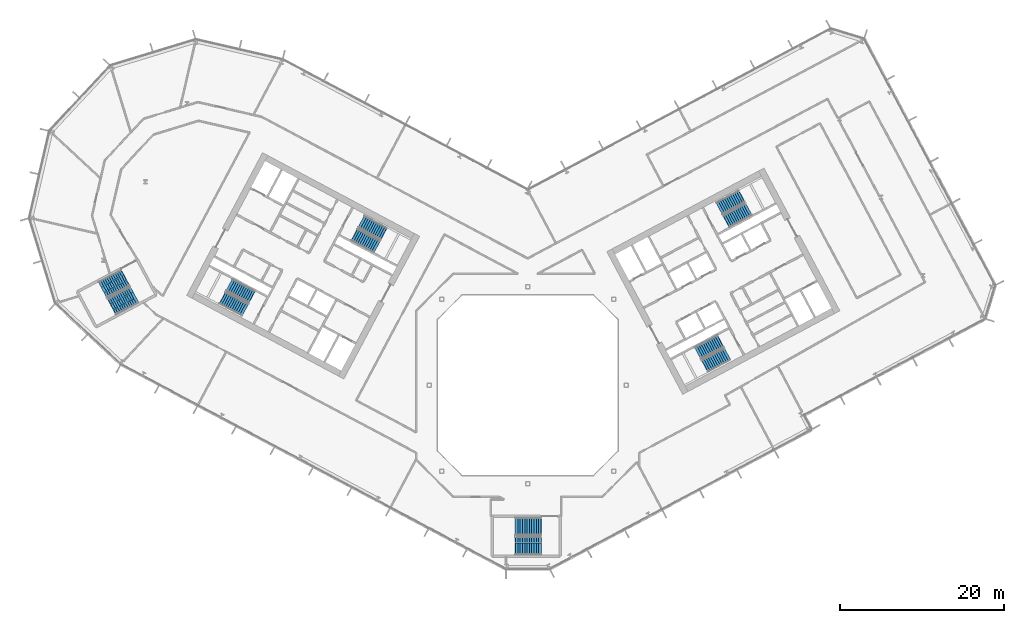
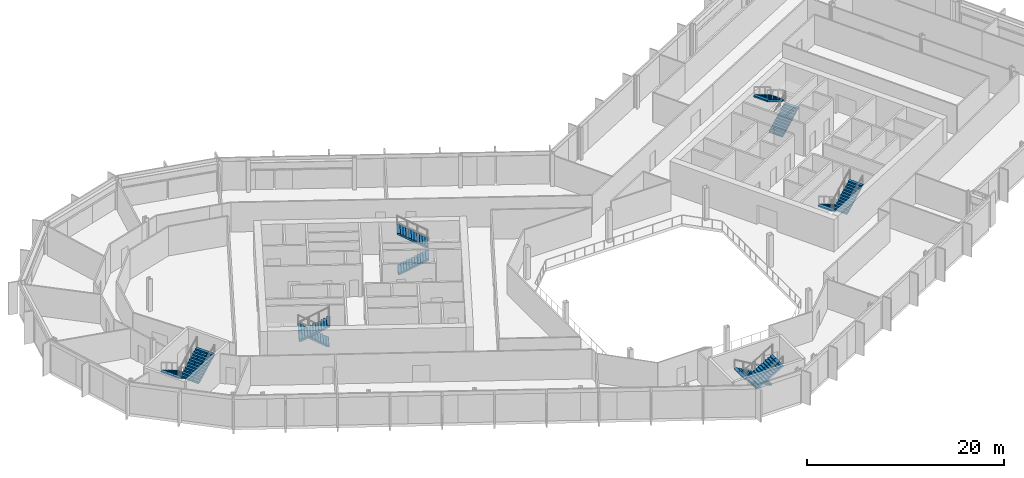
# One storey, part 18 of 28: 12 stair flights, 6 elements without a shape of their own.
"""IFC4 building model written with IfcOpenShell, lengths in metres."""

from ifc_helpers import new_model, si_unit, direction, frame, origin, place, context, subcontext, project, spatial, polyline, outline, extrude, material, type_object, element, aggregate, save


model = new_model("IFC4")

# Units and contexts
model_context = context("Model", 3, precision=1e-05, world=origin(), true_north=direction((0.0, 1.0)))
body_context = subcontext(model_context, "Body", "Model", "MODEL_VIEW")
ifc_project = project(units=[si_unit("LENGTHUNIT", "METRE"), si_unit("AREAUNIT", "SQUARE_METRE"), si_unit("VOLUMEUNIT", "CUBIC_METRE"), si_unit("PLANEANGLEUNIT", "RADIAN"), si_unit("MASSUNIT", "GRAM", prefix="KILO")], contexts=[model_context])

# Site, building, storey
site_placement = place(None, origin())
site = spatial("IfcSite", under=ifc_project, at=site_placement, CompositionType="ELEMENT")
building_placement = place(site_placement, origin())
building = spatial("IfcBuilding", under=site, at=building_placement, Name="Cormorant Relay Tower", CompositionType="ELEMENT")
storey_placement = place(building_placement, frame((0.0, 0.0, 146.199951171875)))
storey = spatial("IfcBuildingStorey", under=building, at=storey_placement, Name="L30", CompositionType="ELEMENT", Elevation=146.199951171875)

# Stair, stair flights
ifc_material_1 = material(Name="Concrete 40 MPa", Category="concrete")
stair_type_1 = type_object("IfcStairType", Name="Exit stair 1500", PredefinedType="HALF_TURN_STAIR", material=ifc_material_1)
stair_1_placement = place(storey_placement, origin())
stair_1 = element("IfcStair", 1, at=stair_1_placement, inside=storey, type_object=stair_type_1, Name="L30 Stair", PredefinedType="HALF_TURN_STAIR")
ifc_material_2 = material(Name="Concrete 40 MPa", Category="concrete")
stair_flight_type_1 = type_object("IfcStairFlightType", Name="Exit stair flight 1650", PredefinedType="STRAIGHT", material=ifc_material_2)
stair_flight_1_placement = place(storey_placement, frame((-21.114501953125, 18.33349609375, 0.0), z_axis=(0.0, 0.0, 1.0), x_axis=(0.882947592859, -0.469471562786, 0.0)))
stair_flight_1 = element("IfcStairFlight", 2, at=stair_flight_1_placement, type_object=stair_flight_type_1, Name="A1 flight 1", NumberOfRisers=12, NumberOfTreads=11, PredefinedType="STRAIGHT", RiserHeight=0.166666667, TreadLength=0.28, context=body_context, shape_type="SweptSolid", body=[
    extrude(outline(polyline([(-0.050048828125, -0.080078125), (-0.050048828125, 0.0), (0.0, 0.0), (0.0, 0.166748046875), (0.280029296875, 0.166748046875), (0.280029296875, 0.333251953125), (0.56005859375, 0.333251953125), (0.56005859375, 0.5), (0.840087890625, 0.5), (0.840087890625, 0.666748046875), (1.1201171875, 0.666748046875), (1.1201171875, 0.833251953125), (1.39990234375, 0.833251953125), (1.39990234375, 1.0), (1.679931640625, 1.0), (1.679931640625, 1.166748046875), (1.9599609375, 1.166748046875), (1.9599609375, 1.333251953125), (2.239990234375, 1.333251953125), (2.239990234375, 1.5), (2.52001953125, 1.5), (2.52001953125, 1.666748046875), (2.800048828125, 1.666748046875), (2.800048828125, 1.833251953125), (3.080078125, 1.833251953125), (3.130126953125, 1.833251953125), (3.130126953125, 1.658935546875), (3.080078125, 1.658935546875), (0.29296875, 0.0), (-0.050048828125, -0.080078125)])), frame((0.0, 0.824951171875, 0.0), z_axis=(0.0, -1.0, 0.0), x_axis=(1.0, 0.0, 0.0)), (0.0, 0.0, 1.0), 1.64990234375),
])
stair_flight_2_placement = place(storey_placement, frame((-17.5498046875, 18.47705078125, 2.0), z_axis=(0.0, 0.0, 1.0), x_axis=(-0.882947592859, 0.469471562786, 0.0)))
stair_flight_2 = element("IfcStairFlight", 3, at=stair_flight_2_placement, type_object=stair_flight_type_1, Name="A1 flight 2", NumberOfRisers=12, NumberOfTreads=11, PredefinedType="STRAIGHT", RiserHeight=0.166666667, TreadLength=0.28, context=body_context, shape_type="SweptSolid", body=[
    extrude(outline(polyline([(-0.050048828125, -0.080078125), (-0.050048828125, 0.0), (0.0, 0.0), (0.0, 0.166748046875), (0.280029296875, 0.166748046875), (0.280029296875, 0.333251953125), (0.56005859375, 0.333251953125), (0.56005859375, 0.5), (0.840087890625, 0.5), (0.840087890625, 0.666748046875), (1.1201171875, 0.666748046875), (1.1201171875, 0.833251953125), (1.39990234375, 0.833251953125), (1.39990234375, 1.0), (1.679931640625, 1.0), (1.679931640625, 1.166748046875), (1.9599609375, 1.166748046875), (1.9599609375, 1.333251953125), (2.239990234375, 1.333251953125), (2.239990234375, 1.5), (2.52001953125, 1.5), (2.52001953125, 1.666748046875), (2.800048828125, 1.666748046875), (2.800048828125, 1.833251953125), (3.080078125, 1.833251953125), (3.130126953125, 1.833251953125), (3.130126953125, 1.658935546875), (3.080078125, 1.658935546875), (0.29296875, 0.0), (-0.050048828125, -0.080078125)])), frame((0.0, 0.824951171875, 0.0), z_axis=(0.0, -1.0, 0.0), x_axis=(1.0, 0.0, 0.0)), (0.0, 0.0, 1.0), 1.64990234375),
])
aggregate(stair_1, [stair_flight_1, stair_flight_2])

stair_2_placement = place(storey_placement, origin())
stair_2 = element("IfcStair", 4, at=stair_2_placement, inside=storey, type_object=stair_type_1, Name="L30 Stair", PredefinedType="HALF_TURN_STAIR")
stair_flight_3_placement = place(storey_placement, frame((-33.62841796875, 10.773681640625, 0.0), z_axis=(0.0, 0.0, 1.0), x_axis=(-0.882947592859, 0.469471562786, 0.0)))
stair_flight_3 = element("IfcStairFlight", 5, at=stair_flight_3_placement, type_object=stair_flight_type_1, Name="A2 flight 1", NumberOfRisers=12, NumberOfTreads=11, PredefinedType="STRAIGHT", RiserHeight=0.166666667, TreadLength=0.28, context=body_context, shape_type="SweptSolid", body=[
    extrude(outline(polyline([(-0.050048828125, -0.080078125), (-0.050048828125, 0.0), (0.0, 0.0), (0.0, 0.166748046875), (0.280029296875, 0.166748046875), (0.280029296875, 0.333251953125), (0.56005859375, 0.333251953125), (0.56005859375, 0.5), (0.840087890625, 0.5), (0.840087890625, 0.666748046875), (1.1201171875, 0.666748046875), (1.1201171875, 0.833251953125), (1.39990234375, 0.833251953125), (1.39990234375, 1.0), (1.679931640625, 1.0), (1.679931640625, 1.166748046875), (1.9599609375, 1.166748046875), (1.9599609375, 1.333251953125), (2.239990234375, 1.333251953125), (2.239990234375, 1.5), (2.52001953125, 1.5), (2.52001953125, 1.666748046875), (2.800048828125, 1.666748046875), (2.800048828125, 1.833251953125), (3.080078125, 1.833251953125), (3.130126953125, 1.833251953125), (3.130126953125, 1.658935546875), (3.080078125, 1.658935546875), (0.29296875, 0.0), (-0.050048828125, -0.080078125)])), frame((0.0, 0.824951171875, 0.0), z_axis=(0.0, -1.0, 0.0), x_axis=(1.0, 0.0, 0.0)), (0.0, 0.0, 1.0), 1.64990234375),
])
stair_flight_4_placement = place(storey_placement, frame((-37.19287109375, 10.63037109375, 2.0), z_axis=(0.0, 0.0, 1.0), x_axis=(0.882947592859, -0.469471562786, 0.0)))
stair_flight_4 = element("IfcStairFlight", 6, at=stair_flight_4_placement, type_object=stair_flight_type_1, Name="A2 flight 2", NumberOfRisers=12, NumberOfTreads=11, PredefinedType="STRAIGHT", RiserHeight=0.166666667, TreadLength=0.28, context=body_context, shape_type="SweptSolid", body=[
    extrude(outline(polyline([(-0.050048828125, -0.080078125), (-0.050048828125, 0.0), (0.0, 0.0), (0.0, 0.166748046875), (0.280029296875, 0.166748046875), (0.280029296875, 0.333251953125), (0.56005859375, 0.333251953125), (0.56005859375, 0.5), (0.840087890625, 0.5), (0.840087890625, 0.666748046875), (1.1201171875, 0.666748046875), (1.1201171875, 0.833251953125), (1.39990234375, 0.833251953125), (1.39990234375, 1.0), (1.679931640625, 1.0), (1.679931640625, 1.166748046875), (1.9599609375, 1.166748046875), (1.9599609375, 1.333251953125), (2.239990234375, 1.333251953125), (2.239990234375, 1.5), (2.52001953125, 1.5), (2.52001953125, 1.666748046875), (2.800048828125, 1.666748046875), (2.800048828125, 1.833251953125), (3.080078125, 1.833251953125), (3.130126953125, 1.833251953125), (3.130126953125, 1.658935546875), (3.080078125, 1.658935546875), (0.29296875, 0.0), (-0.050048828125, -0.080078125)])), frame((0.0, 0.824951171875, 0.0), z_axis=(0.0, -1.0, 0.0), x_axis=(1.0, 0.0, 0.0)), (0.0, 0.0, 1.0), 1.64990234375),
])
aggregate(stair_2, [stair_flight_3, stair_flight_4])

stair_3_placement = place(storey_placement, origin())
stair_3 = element("IfcStair", 7, at=stair_3_placement, inside=storey, type_object=stair_type_1, Name="L30 Stair", PredefinedType="HALF_TURN_STAIR")
stair_flight_5_placement = place(storey_placement, frame((23.474365234375, 5.374755859375, 0.0), z_axis=(0.0, 0.0, 1.0), x_axis=(-0.882947592859, -0.469471562786, 0.0)))
stair_flight_5 = element("IfcStairFlight", 8, at=stair_flight_5_placement, type_object=stair_flight_type_1, Name="B1 flight 1", NumberOfRisers=12, NumberOfTreads=11, PredefinedType="STRAIGHT", RiserHeight=0.166666667, TreadLength=0.28, context=body_context, shape_type="SweptSolid", body=[
    extrude(outline(polyline([(-0.050048828125, -0.080078125), (-0.050048828125, 0.0), (0.0, 0.0), (0.0, 0.166748046875), (0.280029296875, 0.166748046875), (0.280029296875, 0.333251953125), (0.56005859375, 0.333251953125), (0.56005859375, 0.5), (0.840087890625, 0.5), (0.840087890625, 0.666748046875), (1.1201171875, 0.666748046875), (1.1201171875, 0.833251953125), (1.39990234375, 0.833251953125), (1.39990234375, 1.0), (1.679931640625, 1.0), (1.679931640625, 1.166748046875), (1.9599609375, 1.166748046875), (1.9599609375, 1.333251953125), (2.239990234375, 1.333251953125), (2.239990234375, 1.5), (2.52001953125, 1.5), (2.52001953125, 1.666748046875), (2.800048828125, 1.666748046875), (2.800048828125, 1.833251953125), (3.080078125, 1.833251953125), (3.130126953125, 1.833251953125), (3.130126953125, 1.658935546875), (3.080078125, 1.658935546875), (0.29296875, 0.0), (-0.050048828125, -0.080078125)])), frame((0.0, 0.824951171875, 0.0), z_axis=(0.0, -1.0, 0.0), x_axis=(1.0, 0.0, 0.0)), (0.0, 0.0, 1.0), 1.64990234375),
])
stair_flight_6_placement = place(storey_placement, frame((21.60009765625, 2.33935546875, 2.0), z_axis=(0.0, 0.0, 1.0), x_axis=(0.882947592859, 0.469471562786, 0.0)))
stair_flight_6 = element("IfcStairFlight", 9, at=stair_flight_6_placement, type_object=stair_flight_type_1, Name="B1 flight 2", NumberOfRisers=12, NumberOfTreads=11, PredefinedType="STRAIGHT", RiserHeight=0.166666667, TreadLength=0.28, context=body_context, shape_type="SweptSolid", body=[
    extrude(outline(polyline([(-0.050048828125, -0.080078125), (-0.050048828125, 0.0), (0.0, 0.0), (0.0, 0.166748046875), (0.280029296875, 0.166748046875), (0.280029296875, 0.333251953125), (0.56005859375, 0.333251953125), (0.56005859375, 0.5), (0.840087890625, 0.5), (0.840087890625, 0.666748046875), (1.1201171875, 0.666748046875), (1.1201171875, 0.833251953125), (1.39990234375, 0.833251953125), (1.39990234375, 1.0), (1.679931640625, 1.0), (1.679931640625, 1.166748046875), (1.9599609375, 1.166748046875), (1.9599609375, 1.333251953125), (2.239990234375, 1.333251953125), (2.239990234375, 1.5), (2.52001953125, 1.5), (2.52001953125, 1.666748046875), (2.800048828125, 1.666748046875), (2.800048828125, 1.833251953125), (3.080078125, 1.833251953125), (3.130126953125, 1.833251953125), (3.130126953125, 1.658935546875), (3.080078125, 1.658935546875), (0.29296875, 0.0), (-0.050048828125, -0.080078125)])), frame((0.0, 0.824951171875, 0.0), z_axis=(0.0, -1.0, 0.0), x_axis=(1.0, 0.0, 0.0)), (0.0, 0.0, 1.0), 1.64990234375),
])
aggregate(stair_3, [stair_flight_5, stair_flight_6])

stair_4_placement = place(storey_placement, origin())
stair_4 = element("IfcStair", 10, at=stair_4_placement, inside=storey, type_object=stair_type_1, Name="L30 Stair", PredefinedType="HALF_TURN_STAIR")
stair_flight_7_placement = place(storey_placement, frame((24.20458984375, 19.976806640625, 0.0), z_axis=(0.0, 0.0, 1.0), x_axis=(0.882947592859, 0.469471562786, 0.0)))
stair_flight_7 = element("IfcStairFlight", 11, at=stair_flight_7_placement, type_object=stair_flight_type_1, Name="B2 flight 1", NumberOfRisers=12, NumberOfTreads=11, PredefinedType="STRAIGHT", RiserHeight=0.166666667, TreadLength=0.28, context=body_context, shape_type="SweptSolid", body=[
    extrude(outline(polyline([(-0.050048828125, -0.080078125), (-0.050048828125, 0.0), (0.0, 0.0), (0.0, 0.166748046875), (0.280029296875, 0.166748046875), (0.280029296875, 0.333251953125), (0.56005859375, 0.333251953125), (0.56005859375, 0.5), (0.840087890625, 0.5), (0.840087890625, 0.666748046875), (1.1201171875, 0.666748046875), (1.1201171875, 0.833251953125), (1.39990234375, 0.833251953125), (1.39990234375, 1.0), (1.679931640625, 1.0), (1.679931640625, 1.166748046875), (1.9599609375, 1.166748046875), (1.9599609375, 1.333251953125), (2.239990234375, 1.333251953125), (2.239990234375, 1.5), (2.52001953125, 1.5), (2.52001953125, 1.666748046875), (2.800048828125, 1.666748046875), (2.800048828125, 1.833251953125), (3.080078125, 1.833251953125), (3.130126953125, 1.833251953125), (3.130126953125, 1.658935546875), (3.080078125, 1.658935546875), (0.29296875, 0.0), (-0.050048828125, -0.080078125)])), frame((0.0, 0.824951171875, 0.0), z_axis=(0.0, -1.0, 0.0), x_axis=(1.0, 0.0, 0.0)), (0.0, 0.0, 1.0), 1.64990234375),
])
stair_flight_8_placement = place(storey_placement, frame((26.0791015625, 23.011962890625, 2.0), z_axis=(0.0, 0.0, 1.0), x_axis=(-0.882947592859, -0.469471562786, 0.0)))
stair_flight_8 = element("IfcStairFlight", 12, at=stair_flight_8_placement, type_object=stair_flight_type_1, Name="B2 flight 2", NumberOfRisers=12, NumberOfTreads=11, PredefinedType="STRAIGHT", RiserHeight=0.166666667, TreadLength=0.28, context=body_context, shape_type="SweptSolid", body=[
    extrude(outline(polyline([(-0.050048828125, -0.080078125), (-0.050048828125, 0.0), (0.0, 0.0), (0.0, 0.166748046875), (0.280029296875, 0.166748046875), (0.280029296875, 0.333251953125), (0.56005859375, 0.333251953125), (0.56005859375, 0.5), (0.840087890625, 0.5), (0.840087890625, 0.666748046875), (1.1201171875, 0.666748046875), (1.1201171875, 0.833251953125), (1.39990234375, 0.833251953125), (1.39990234375, 1.0), (1.679931640625, 1.0), (1.679931640625, 1.166748046875), (1.9599609375, 1.166748046875), (1.9599609375, 1.333251953125), (2.239990234375, 1.333251953125), (2.239990234375, 1.5), (2.52001953125, 1.5), (2.52001953125, 1.666748046875), (2.800048828125, 1.666748046875), (2.800048828125, 1.833251953125), (3.080078125, 1.833251953125), (3.130126953125, 1.833251953125), (3.130126953125, 1.658935546875), (3.080078125, 1.658935546875), (0.29296875, 0.0), (-0.050048828125, -0.080078125)])), frame((0.0, 0.824951171875, 0.0), z_axis=(0.0, -1.0, 0.0), x_axis=(1.0, 0.0, 0.0)), (0.0, 0.0, 1.0), 1.64990234375),
])
aggregate(stair_4, [stair_flight_7, stair_flight_8])

ifc_material_3 = material(Name="Concrete 40 MPa", Category="concrete")
stair_type_2 = type_object("IfcStairType", Name="Remote exit stair 2200", PredefinedType="HALF_TURN_STAIR", material=ifc_material_3)
stair_5_placement = place(storey_placement, origin())
stair_5 = element("IfcStair", 13, at=stair_5_placement, inside=storey, type_object=stair_type_2, Name="L30 Stair", PredefinedType="HALF_TURN_STAIR")
ifc_material_4 = material(Name="Concrete 40 MPa", Category="concrete")
stair_flight_type_2 = type_object("IfcStairFlightType", Name="Remote exit stair flight 2200", PredefinedType="STRAIGHT", material=ifc_material_4)
stair_flight_9_placement = place(storey_placement, frame((1.60009765625, -17.22509765625, 0.0), z_axis=(0.0, 0.0, 1.0), x_axis=(-1.0, 0.0, 0.0)))
stair_flight_9 = element("IfcStairFlight", 14, at=stair_flight_9_placement, type_object=stair_flight_type_2, Name="RK1 flight 1", NumberOfRisers=12, NumberOfTreads=11, PredefinedType="STRAIGHT", RiserHeight=0.166666667, TreadLength=0.28, context=body_context, shape_type="SweptSolid", body=[
    extrude(outline(polyline([(-0.050048828125, -0.080078125), (-0.050048828125, 0.0), (0.0, 0.0), (0.0, 0.166748046875), (0.280029296875, 0.166748046875), (0.280029296875, 0.333251953125), (0.56005859375, 0.333251953125), (0.56005859375, 0.5), (0.840087890625, 0.5), (0.840087890625, 0.666748046875), (1.1201171875, 0.666748046875), (1.1201171875, 0.833251953125), (1.39990234375, 0.833251953125), (1.39990234375, 1.0), (1.679931640625, 1.0), (1.679931640625, 1.166748046875), (1.9599609375, 1.166748046875), (1.9599609375, 1.333251953125), (2.239990234375, 1.333251953125), (2.239990234375, 1.5), (2.52001953125, 1.5), (2.52001953125, 1.666748046875), (2.800048828125, 1.666748046875), (2.800048828125, 1.833251953125), (3.080078125, 1.833251953125), (3.130126953125, 1.833251953125), (3.130126953125, 1.658935546875), (3.080078125, 1.658935546875), (0.29296875, 0.0), (-0.050048828125, -0.080078125)])), frame((0.0, 1.10009765625, 0.0), z_axis=(0.0, -1.0, 0.0), x_axis=(1.0, 0.0, 0.0)), (0.0, 0.0, 1.0), 0.719970703125),
    extrude(outline(polyline([(-0.050048828125, -0.080078125), (-0.050048828125, 0.0), (0.0, 0.0), (0.0, 0.166748046875), (0.280029296875, 0.166748046875), (0.280029296875, 0.333251953125), (0.56005859375, 0.333251953125), (0.56005859375, 0.5), (0.840087890625, 0.5), (0.840087890625, 0.666748046875), (1.1201171875, 0.666748046875), (1.1201171875, 0.833251953125), (1.39990234375, 0.833251953125), (1.39990234375, 1.0), (1.679931640625, 1.0), (1.679931640625, 1.166748046875), (1.9599609375, 1.166748046875), (1.9599609375, 1.333251953125), (2.239990234375, 1.333251953125), (2.239990234375, 1.5), (2.52001953125, 1.5), (2.52001953125, 1.666748046875), (2.800048828125, 1.666748046875), (2.800048828125, 1.833251953125), (3.080078125, 1.833251953125), (3.130126953125, 1.833251953125), (3.130126953125, 1.658935546875), (3.080078125, 1.658935546875), (0.29296875, 0.0), (-0.050048828125, -0.080078125)])), frame((0.0, 0.360107421875, 0.0), z_axis=(0.0, -1.0, 0.0), x_axis=(1.0, 0.0, 0.0)), (0.0, 0.0, 1.0), 0.719970703125),
    extrude(outline(polyline([(-0.050048828125, -0.080078125), (-0.050048828125, 0.0), (0.0, 0.0), (0.0, 0.166748046875), (0.280029296875, 0.166748046875), (0.280029296875, 0.333251953125), (0.56005859375, 0.333251953125), (0.56005859375, 0.5), (0.840087890625, 0.5), (0.840087890625, 0.666748046875), (1.1201171875, 0.666748046875), (1.1201171875, 0.833251953125), (1.39990234375, 0.833251953125), (1.39990234375, 1.0), (1.679931640625, 1.0), (1.679931640625, 1.166748046875), (1.9599609375, 1.166748046875), (1.9599609375, 1.333251953125), (2.239990234375, 1.333251953125), (2.239990234375, 1.5), (2.52001953125, 1.5), (2.52001953125, 1.666748046875), (2.800048828125, 1.666748046875), (2.800048828125, 1.833251953125), (3.080078125, 1.833251953125), (3.130126953125, 1.833251953125), (3.130126953125, 1.658935546875), (3.080078125, 1.658935546875), (0.29296875, 0.0), (-0.050048828125, -0.080078125)])), frame((0.0, -0.3798828125, 0.0), z_axis=(0.0, -1.0, 0.0), x_axis=(1.0, 0.0, 0.0)), (0.0, 0.0, 1.0), 0.719970703125),
])
stair_flight_10_placement = place(storey_placement, frame((-1.47998046875, -19.574951171875, 2.0), z_axis=(0.0, 0.0, 1.0), x_axis=(1.0, 0.0, 0.0)))
stair_flight_10 = element("IfcStairFlight", 15, at=stair_flight_10_placement, type_object=stair_flight_type_2, Name="RK1 flight 2", NumberOfRisers=12, NumberOfTreads=11, PredefinedType="STRAIGHT", RiserHeight=0.166666667, TreadLength=0.28, context=body_context, shape_type="SweptSolid", body=[
    extrude(outline(polyline([(-0.050048828125, -0.080078125), (-0.050048828125, 0.0), (0.0, 0.0), (0.0, 0.166748046875), (0.280029296875, 0.166748046875), (0.280029296875, 0.333251953125), (0.56005859375, 0.333251953125), (0.56005859375, 0.5), (0.840087890625, 0.5), (0.840087890625, 0.666748046875), (1.1201171875, 0.666748046875), (1.1201171875, 0.833251953125), (1.39990234375, 0.833251953125), (1.39990234375, 1.0), (1.679931640625, 1.0), (1.679931640625, 1.166748046875), (1.9599609375, 1.166748046875), (1.9599609375, 1.333251953125), (2.239990234375, 1.333251953125), (2.239990234375, 1.5), (2.52001953125, 1.5), (2.52001953125, 1.666748046875), (2.800048828125, 1.666748046875), (2.800048828125, 1.833251953125), (3.080078125, 1.833251953125), (3.130126953125, 1.833251953125), (3.130126953125, 1.658935546875), (3.080078125, 1.658935546875), (0.29296875, 0.0), (-0.050048828125, -0.080078125)])), frame((0.0, 1.10009765625, 0.0), z_axis=(0.0, -1.0, 0.0), x_axis=(1.0, 0.0, 0.0)), (0.0, 0.0, 1.0), 0.719970703125),
    extrude(outline(polyline([(-0.050048828125, -0.080078125), (-0.050048828125, 0.0), (0.0, 0.0), (0.0, 0.166748046875), (0.280029296875, 0.166748046875), (0.280029296875, 0.333251953125), (0.56005859375, 0.333251953125), (0.56005859375, 0.5), (0.840087890625, 0.5), (0.840087890625, 0.666748046875), (1.1201171875, 0.666748046875), (1.1201171875, 0.833251953125), (1.39990234375, 0.833251953125), (1.39990234375, 1.0), (1.679931640625, 1.0), (1.679931640625, 1.166748046875), (1.9599609375, 1.166748046875), (1.9599609375, 1.333251953125), (2.239990234375, 1.333251953125), (2.239990234375, 1.5), (2.52001953125, 1.5), (2.52001953125, 1.666748046875), (2.800048828125, 1.666748046875), (2.800048828125, 1.833251953125), (3.080078125, 1.833251953125), (3.130126953125, 1.833251953125), (3.130126953125, 1.658935546875), (3.080078125, 1.658935546875), (0.29296875, 0.0), (-0.050048828125, -0.080078125)])), frame((0.0, 0.360107421875, 0.0), z_axis=(0.0, -1.0, 0.0), x_axis=(1.0, 0.0, 0.0)), (0.0, 0.0, 1.0), 0.719970703125),
    extrude(outline(polyline([(-0.050048828125, -0.080078125), (-0.050048828125, 0.0), (0.0, 0.0), (0.0, 0.166748046875), (0.280029296875, 0.166748046875), (0.280029296875, 0.333251953125), (0.56005859375, 0.333251953125), (0.56005859375, 0.5), (0.840087890625, 0.5), (0.840087890625, 0.666748046875), (1.1201171875, 0.666748046875), (1.1201171875, 0.833251953125), (1.39990234375, 0.833251953125), (1.39990234375, 1.0), (1.679931640625, 1.0), (1.679931640625, 1.166748046875), (1.9599609375, 1.166748046875), (1.9599609375, 1.333251953125), (2.239990234375, 1.333251953125), (2.239990234375, 1.5), (2.52001953125, 1.5), (2.52001953125, 1.666748046875), (2.800048828125, 1.666748046875), (2.800048828125, 1.833251953125), (3.080078125, 1.833251953125), (3.130126953125, 1.833251953125), (3.130126953125, 1.658935546875), (3.080078125, 1.658935546875), (0.29296875, 0.0), (-0.050048828125, -0.080078125)])), frame((0.0, -0.3798828125, 0.0), z_axis=(0.0, -1.0, 0.0), x_axis=(1.0, 0.0, 0.0)), (0.0, 0.0, 1.0), 0.719970703125),
])
aggregate(stair_5, [stair_flight_9, stair_flight_10])

stair_6_placement = place(storey_placement, origin())
stair_6 = element("IfcStair", 16, at=stair_6_placement, inside=storey, type_object=stair_type_2, Name="L30 Stair", PredefinedType="HALF_TURN_STAIR")
stair_flight_11_placement = place(storey_placement, frame((-49.062255859375, 13.08251953125, 0.0), z_axis=(0.0, 0.0, 1.0), x_axis=(-0.882947502727, -0.4694717323, 0.0)))
stair_flight_11 = element("IfcStairFlight", 17, at=stair_flight_11_placement, type_object=stair_flight_type_2, Name="RP1 flight 1", NumberOfRisers=12, NumberOfTreads=11, PredefinedType="STRAIGHT", RiserHeight=0.166666667, TreadLength=0.28, context=body_context, shape_type="SweptSolid", body=[
    extrude(outline(polyline([(-0.050048828125, -0.080078125), (-0.050048828125, 0.0), (0.0, 0.0), (0.0, 0.166748046875), (0.280029296875, 0.166748046875), (0.280029296875, 0.333251953125), (0.56005859375, 0.333251953125), (0.56005859375, 0.5), (0.840087890625, 0.5), (0.840087890625, 0.666748046875), (1.1201171875, 0.666748046875), (1.1201171875, 0.833251953125), (1.39990234375, 0.833251953125), (1.39990234375, 1.0), (1.679931640625, 1.0), (1.679931640625, 1.166748046875), (1.9599609375, 1.166748046875), (1.9599609375, 1.333251953125), (2.239990234375, 1.333251953125), (2.239990234375, 1.5), (2.52001953125, 1.5), (2.52001953125, 1.666748046875), (2.800048828125, 1.666748046875), (2.800048828125, 1.833251953125), (3.080078125, 1.833251953125), (3.130126953125, 1.833251953125), (3.130126953125, 1.658935546875), (3.080078125, 1.658935546875), (0.29296875, 0.0), (-0.050048828125, -0.080078125)])), frame((0.0, 1.10009765625, 0.0), z_axis=(0.0, -1.0, 0.0), x_axis=(1.0, 0.0, 0.0)), (0.0, 0.0, 1.0), 0.719970703125),
    extrude(outline(polyline([(-0.050048828125, -0.080078125), (-0.050048828125, 0.0), (0.0, 0.0), (0.0, 0.166748046875), (0.280029296875, 0.166748046875), (0.280029296875, 0.333251953125), (0.56005859375, 0.333251953125), (0.56005859375, 0.5), (0.840087890625, 0.5), (0.840087890625, 0.666748046875), (1.1201171875, 0.666748046875), (1.1201171875, 0.833251953125), (1.39990234375, 0.833251953125), (1.39990234375, 1.0), (1.679931640625, 1.0), (1.679931640625, 1.166748046875), (1.9599609375, 1.166748046875), (1.9599609375, 1.333251953125), (2.239990234375, 1.333251953125), (2.239990234375, 1.5), (2.52001953125, 1.5), (2.52001953125, 1.666748046875), (2.800048828125, 1.666748046875), (2.800048828125, 1.833251953125), (3.080078125, 1.833251953125), (3.130126953125, 1.833251953125), (3.130126953125, 1.658935546875), (3.080078125, 1.658935546875), (0.29296875, 0.0), (-0.050048828125, -0.080078125)])), frame((0.0, 0.360107421875, 0.0), z_axis=(0.0, -1.0, 0.0), x_axis=(1.0, 0.0, 0.0)), (0.0, 0.0, 1.0), 0.719970703125),
    extrude(outline(polyline([(-0.050048828125, -0.080078125), (-0.050048828125, 0.0), (0.0, 0.0), (0.0, 0.166748046875), (0.280029296875, 0.166748046875), (0.280029296875, 0.333251953125), (0.56005859375, 0.333251953125), (0.56005859375, 0.5), (0.840087890625, 0.5), (0.840087890625, 0.666748046875), (1.1201171875, 0.666748046875), (1.1201171875, 0.833251953125), (1.39990234375, 0.833251953125), (1.39990234375, 1.0), (1.679931640625, 1.0), (1.679931640625, 1.166748046875), (1.9599609375, 1.166748046875), (1.9599609375, 1.333251953125), (2.239990234375, 1.333251953125), (2.239990234375, 1.5), (2.52001953125, 1.5), (2.52001953125, 1.666748046875), (2.800048828125, 1.666748046875), (2.800048828125, 1.833251953125), (3.080078125, 1.833251953125), (3.130126953125, 1.833251953125), (3.130126953125, 1.658935546875), (3.080078125, 1.658935546875), (0.29296875, 0.0), (-0.050048828125, -0.080078125)])), frame((0.0, -0.3798828125, 0.0), z_axis=(0.0, -1.0, 0.0), x_axis=(1.0, 0.0, 0.0)), (0.0, 0.0, 1.0), 0.719970703125),
])
stair_flight_12_placement = place(storey_placement, frame((-50.678466796875, 9.5615234375, 2.0), z_axis=(0.0, 0.0, 1.0), x_axis=(0.882947502727, 0.4694717323, 0.0)))
stair_flight_12 = element("IfcStairFlight", 18, at=stair_flight_12_placement, type_object=stair_flight_type_2, Name="RP1 flight 2", NumberOfRisers=12, NumberOfTreads=11, PredefinedType="STRAIGHT", RiserHeight=0.166666667, TreadLength=0.28, context=body_context, shape_type="SweptSolid", body=[
    extrude(outline(polyline([(-0.050048828125, -0.080078125), (-0.050048828125, 0.0), (0.0, 0.0), (0.0, 0.166748046875), (0.280029296875, 0.166748046875), (0.280029296875, 0.333251953125), (0.56005859375, 0.333251953125), (0.56005859375, 0.5), (0.840087890625, 0.5), (0.840087890625, 0.666748046875), (1.1201171875, 0.666748046875), (1.1201171875, 0.833251953125), (1.39990234375, 0.833251953125), (1.39990234375, 1.0), (1.679931640625, 1.0), (1.679931640625, 1.166748046875), (1.9599609375, 1.166748046875), (1.9599609375, 1.333251953125), (2.239990234375, 1.333251953125), (2.239990234375, 1.5), (2.52001953125, 1.5), (2.52001953125, 1.666748046875), (2.800048828125, 1.666748046875), (2.800048828125, 1.833251953125), (3.080078125, 1.833251953125), (3.130126953125, 1.833251953125), (3.130126953125, 1.658935546875), (3.080078125, 1.658935546875), (0.29296875, 0.0), (-0.050048828125, -0.080078125)])), frame((0.0, 1.10009765625, 0.0), z_axis=(0.0, -1.0, 0.0), x_axis=(1.0, 0.0, 0.0)), (0.0, 0.0, 1.0), 0.719970703125),
    extrude(outline(polyline([(-0.050048828125, -0.080078125), (-0.050048828125, 0.0), (0.0, 0.0), (0.0, 0.166748046875), (0.280029296875, 0.166748046875), (0.280029296875, 0.333251953125), (0.56005859375, 0.333251953125), (0.56005859375, 0.5), (0.840087890625, 0.5), (0.840087890625, 0.666748046875), (1.1201171875, 0.666748046875), (1.1201171875, 0.833251953125), (1.39990234375, 0.833251953125), (1.39990234375, 1.0), (1.679931640625, 1.0), (1.679931640625, 1.166748046875), (1.9599609375, 1.166748046875), (1.9599609375, 1.333251953125), (2.239990234375, 1.333251953125), (2.239990234375, 1.5), (2.52001953125, 1.5), (2.52001953125, 1.666748046875), (2.800048828125, 1.666748046875), (2.800048828125, 1.833251953125), (3.080078125, 1.833251953125), (3.130126953125, 1.833251953125), (3.130126953125, 1.658935546875), (3.080078125, 1.658935546875), (0.29296875, 0.0), (-0.050048828125, -0.080078125)])), frame((0.0, 0.360107421875, 0.0), z_axis=(0.0, -1.0, 0.0), x_axis=(1.0, 0.0, 0.0)), (0.0, 0.0, 1.0), 0.719970703125),
    extrude(outline(polyline([(-0.050048828125, -0.080078125), (-0.050048828125, 0.0), (0.0, 0.0), (0.0, 0.166748046875), (0.280029296875, 0.166748046875), (0.280029296875, 0.333251953125), (0.56005859375, 0.333251953125), (0.56005859375, 0.5), (0.840087890625, 0.5), (0.840087890625, 0.666748046875), (1.1201171875, 0.666748046875), (1.1201171875, 0.833251953125), (1.39990234375, 0.833251953125), (1.39990234375, 1.0), (1.679931640625, 1.0), (1.679931640625, 1.166748046875), (1.9599609375, 1.166748046875), (1.9599609375, 1.333251953125), (2.239990234375, 1.333251953125), (2.239990234375, 1.5), (2.52001953125, 1.5), (2.52001953125, 1.666748046875), (2.800048828125, 1.666748046875), (2.800048828125, 1.833251953125), (3.080078125, 1.833251953125), (3.130126953125, 1.833251953125), (3.130126953125, 1.658935546875), (3.080078125, 1.658935546875), (0.29296875, 0.0), (-0.050048828125, -0.080078125)])), frame((0.0, -0.3798828125, 0.0), z_axis=(0.0, -1.0, 0.0), x_axis=(1.0, 0.0, 0.0)), (0.0, 0.0, 1.0), 0.719970703125),
])
aggregate(stair_6, [stair_flight_11, stair_flight_12])

save(model, "model.ifc")
